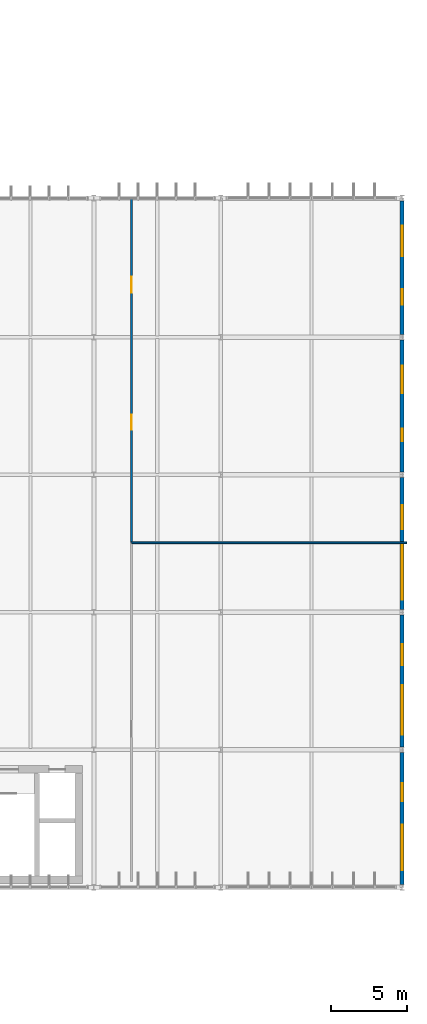
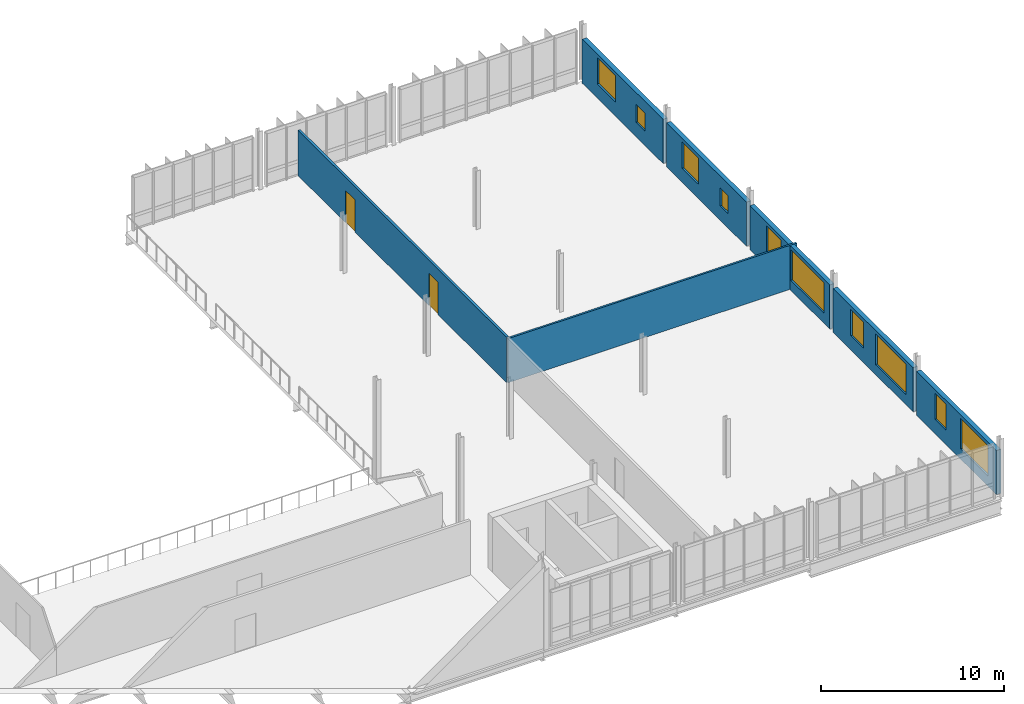
# One storey, part 52 of 61: 10 windows, 7 walls, 2 doors, 12 openings.
"""IFC4 building model written with IfcOpenShell, lengths in metres."""

from ifc_helpers import new_model, si_unit, derived_unit, direction, frame, frame_2d, origin, place, context, subcontext, project, spatial, rectangle, extrude, material, layer, layer_set, type_object, element, fill, save


model = new_model("IFC4")

# Units and contexts
model_context = context("Model", 3, precision=1e-05, world=origin(), true_north=direction((0.0, 1.0)))
body_context = subcontext(model_context, "Body", "Model", "MODEL_VIEW")
ifc_project = project(units=[si_unit("LENGTHUNIT", "METRE"), si_unit("AREAUNIT", "SQUARE_METRE"), si_unit("VOLUMEUNIT", "CUBIC_METRE"), si_unit("PLANEANGLEUNIT", "RADIAN"), si_unit("MASSUNIT", "GRAM", prefix="KILO"), derived_unit("THERMALTRANSMITTANCEUNIT", [(si_unit("MASSUNIT", "GRAM", prefix="KILO"), 1), (si_unit("TIMEUNIT", "SECOND"), -3), (si_unit("THERMODYNAMICTEMPERATUREUNIT", "KELVIN"), -1)])], contexts=[model_context])

# Site, building, storey
site_placement = place(None, origin())
site = spatial("IfcSite", under=ifc_project, at=site_placement, CompositionType="ELEMENT")
building_placement = place(site_placement, origin())
building = spatial("IfcBuilding", under=site, at=building_placement, Name="Makaiwela Harbour Ferry Terminal", CompositionType="ELEMENT")
storey_placement = place(building_placement, frame((0.0, 0.0, 13.800048828125)))
storey = spatial("IfcBuildingStorey", under=building, at=storey_placement, Name="L03", CompositionType="ELEMENT", Elevation=13.800048828125)

# Wall, openings, windows
ifc_material_1 = material(Name="Precast concrete f'c 40 MPa (6000 psi)", Category="concrete")
ifc_layer_1 = layer(ifc_material_1, 0.280029296875)
ifc_layer_set_1 = layer_set([ifc_layer_1], Name="Precast concrete f'c 40 MPa (6000 psi)")
wall_type_1 = type_object("IfcWallType", Name="ENV-WL-EXT280", PredefinedType="SOLIDWALL", material=ifc_layer_set_1)
wall_1_placement = place(storey_placement, frame((167.39990234375, 58.3134765625, 0.0), z_axis=(0.0, 0.0, 1.0), x_axis=(0.0, -1.0, 0.0)))
wall_1 = element("IfcWall", 1, at=wall_1_placement, inside=storey, type_object=wall_type_1, Name="Exterior Wall EW-069", PredefinedType="SOLIDWALL", context=body_context, shape_type="SweptSolid", body=[
    extrude(rectangle(XDim=8.72705078125, YDim=0.280029296875, at=frame_2d((4.363525390625, 0.0))), origin(), (0.0, 0.0, 1.0), 2.94189453125),
])
opening_1_placement = place(wall_1_placement, frame((2.01806640625, 0.0, 0.949951171875)))
opening_1 = element("IfcOpeningElement", 2, at=opening_1_placement, cuts=wall_1, Name="Opening W-19", PredefinedType="OPENING", context=body_context, shape_type="SweptSolid", body=[
    extrude(rectangle(XDim=1.199951171875, YDim=1.75, at=frame_2d((0.60009765625, 0.875))), frame((0.0, 0.14990234375, 0.0), z_axis=(0.0, -1.0, 0.0), x_axis=(1.0, 0.0, 0.0)), (0.0, 0.0, 1.0), 0.300048828125),
])
opening_2_placement = place(wall_1_placement, frame((4.783447265625, 0.0, 0.672119140625)))
opening_2 = element("IfcOpeningElement", 3, at=opening_2_placement, cuts=wall_1, Name="Opening W-36", PredefinedType="OPENING", context=body_context, shape_type="SweptSolid", body=[
    extrude(rectangle(XDim=3.0, YDim=2.050048828125, at=frame_2d((1.5, 1.02490234375))), frame((0.0, 0.14990234375, 0.0), z_axis=(0.0, -1.0, 0.0), x_axis=(1.0, 0.0, 0.0)), (0.0, 0.0, 1.0), 0.300048828125),
])
ifc_material_2 = material(Name="Laminated hurricane-impact low-E insulated glazing", Category="glass")
window_type_1 = type_object("IfcWindowType", Name="ENV-WIN-19", PartitioningType="SINGLE_PANEL", PredefinedType="WINDOW", material=ifc_material_2)
window_1_placement = place(opening_1_placement, origin())
window_1 = element("IfcWindow", 4, at=window_1_placement, inside=storey, type_object=window_type_1, Name="Exterior Window W-19", OverallHeight=1.75, OverallWidth=1.199951171875, PartitioningType="SINGLE_PANEL", PredefinedType="WINDOW", context=body_context, shape_type="SweptSolid", body=[
    extrude(rectangle(XDim=1.199951171875, YDim=1.75, at=frame_2d((0.60009765625, 0.875))), frame((0.0, 0.030029296875, 0.0), z_axis=(0.0, -1.0, 0.0), x_axis=(1.0, 0.0, 0.0)), (0.0, 0.0, 1.0), 0.06005859375),
])
fill(opening_1, window_1)
window_type_2 = type_object("IfcWindowType", Name="ENV-WIN-36", PartitioningType="SINGLE_PANEL", PredefinedType="WINDOW", material=ifc_material_2)
window_2_placement = place(opening_2_placement, origin())
window_2 = element("IfcWindow", 5, at=window_2_placement, inside=storey, type_object=window_type_2, Name="Exterior Window W-36", OverallHeight=2.050048828125, OverallWidth=3.0, PartitioningType="SINGLE_PANEL", PredefinedType="WINDOW", context=body_context, shape_type="SweptSolid", body=[
    extrude(rectangle(XDim=3.0, YDim=2.050048828125, at=frame_2d((1.5, 1.02490234375))), frame((0.0, 0.030029296875, 0.0), z_axis=(0.0, -1.0, 0.0), x_axis=(1.0, 0.0, 0.0)), (0.0, 0.0, 1.0), 0.06005859375),
])
fill(opening_2, window_2)

wall_2_placement = place(storey_placement, frame((167.39990234375, 67.41357421875, 0.0), z_axis=(0.0, 0.0, 1.0), x_axis=(0.0, -1.0, 0.0)))
wall_2 = element("IfcWall", 6, at=wall_2_placement, inside=storey, type_object=wall_type_1, Name="Exterior Wall EW-071", PredefinedType="SOLIDWALL", context=body_context, shape_type="SweptSolid", body=[
    extrude(rectangle(XDim=8.72705078125, YDim=0.280029296875, at=frame_2d((4.363525390625, 0.0))), origin(), (0.0, 0.0, 1.0), 2.94189453125),
])
opening_3_placement = place(wall_2_placement, frame((1.918212890625, 0.0, 0.949951171875)))
opening_3 = element("IfcOpeningElement", 7, at=opening_3_placement, cuts=wall_2, Name="Opening W-20", PredefinedType="OPENING", context=body_context, shape_type="SweptSolid", body=[
    extrude(rectangle(XDim=1.39990234375, YDim=1.75, at=frame_2d((0.699951171875, 0.875))), frame((0.0, 0.14990234375, 0.0), z_axis=(0.0, -1.0, 0.0), x_axis=(1.0, 0.0, 0.0)), (0.0, 0.0, 1.0), 0.300048828125),
])
opening_4_placement = place(wall_2_placement, frame((4.63330078125, 0.0, 0.672119140625)))
opening_4 = element("IfcOpeningElement", 8, at=opening_4_placement, cuts=wall_2, Name="Opening W-37", PredefinedType="OPENING", context=body_context, shape_type="SweptSolid", body=[
    extrude(rectangle(XDim=3.300048828125, YDim=2.050048828125, at=frame_2d((1.64990234375, 1.02490234375))), frame((0.0, 0.14990234375, 0.0), z_axis=(0.0, -1.0, 0.0), x_axis=(1.0, 0.0, 0.0)), (0.0, 0.0, 1.0), 0.300048828125),
])
window_type_3 = type_object("IfcWindowType", Name="ENV-WIN-20", PartitioningType="SINGLE_PANEL", PredefinedType="WINDOW", material=ifc_material_2)
window_3_placement = place(opening_3_placement, origin())
window_3 = element("IfcWindow", 9, at=window_3_placement, inside=storey, type_object=window_type_3, Name="Exterior Window W-20", OverallHeight=1.75, OverallWidth=1.39990234375, PartitioningType="SINGLE_PANEL", PredefinedType="WINDOW", context=body_context, shape_type="SweptSolid", body=[
    extrude(rectangle(XDim=1.39990234375, YDim=1.75, at=frame_2d((0.699951171875, 0.875))), frame((0.0, 0.030029296875, 0.0), z_axis=(0.0, -1.0, 0.0), x_axis=(1.0, 0.0, 0.0)), (0.0, 0.0, 1.0), 0.06005859375),
])
fill(opening_3, window_3)
window_type_4 = type_object("IfcWindowType", Name="ENV-WIN-37", PartitioningType="SINGLE_PANEL", PredefinedType="WINDOW", material=ifc_material_2)
window_4_placement = place(opening_4_placement, origin())
window_4 = element("IfcWindow", 10, at=window_4_placement, inside=storey, type_object=window_type_4, Name="Exterior Window W-37", OverallHeight=2.050048828125, OverallWidth=3.300048828125, PartitioningType="SINGLE_PANEL", PredefinedType="WINDOW", context=body_context, shape_type="SweptSolid", body=[
    extrude(rectangle(XDim=3.300048828125, YDim=2.050048828125, at=frame_2d((1.64990234375, 1.02490234375))), frame((0.0, 0.030029296875, 0.0), z_axis=(0.0, -1.0, 0.0), x_axis=(1.0, 0.0, 0.0)), (0.0, 0.0, 1.0), 0.06005859375),
])
fill(opening_4, window_4)

wall_3_placement = place(storey_placement, frame((167.39990234375, 76.513427734375, 0.0), z_axis=(0.0, 0.0, 1.0), x_axis=(0.0, -1.0, 0.0)))
wall_3 = element("IfcWall", 11, at=wall_3_placement, inside=storey, type_object=wall_type_1, Name="Exterior Wall EW-073", PredefinedType="SOLIDWALL", context=body_context, shape_type="SweptSolid", body=[
    extrude(rectangle(XDim=8.726806640625, YDim=0.280029296875, at=frame_2d((4.36328125, 0.0))), origin(), (0.0, 0.0, 1.0), 2.94189453125),
])
opening_5_placement = place(wall_3_placement, frame((1.818115234375, 0.0, 0.949951171875)))
opening_5 = element("IfcOpeningElement", 12, at=opening_5_placement, cuts=wall_3, Name="Opening W-21", PredefinedType="OPENING", context=body_context, shape_type="SweptSolid", body=[
    extrude(rectangle(XDim=1.60009765625, YDim=1.75, at=frame_2d((0.800048828125, 0.875))), frame((0.0, 0.14990234375, 0.0), z_axis=(0.0, -1.0, 0.0), x_axis=(1.0, 0.0, 0.0)), (0.0, 0.0, 1.0), 0.300048828125),
])
opening_6_placement = place(wall_3_placement, frame((4.4833984375, 0.0, 0.672119140625)))
opening_6 = element("IfcOpeningElement", 13, at=opening_6_placement, cuts=wall_3, Name="Opening W-38", PredefinedType="OPENING", context=body_context, shape_type="SweptSolid", body=[
    extrude(rectangle(XDim=3.60009765625, YDim=2.050048828125, at=frame_2d((1.800048828125, 1.02490234375))), frame((0.0, 0.14990234375, 0.0), z_axis=(0.0, -1.0, 0.0), x_axis=(1.0, 0.0, 0.0)), (0.0, 0.0, 1.0), 0.300048828125),
])
window_type_5 = type_object("IfcWindowType", Name="ENV-WIN-21", PartitioningType="SINGLE_PANEL", PredefinedType="WINDOW", material=ifc_material_2)
window_5_placement = place(opening_5_placement, origin())
window_5 = element("IfcWindow", 14, at=window_5_placement, inside=storey, type_object=window_type_5, Name="Exterior Window W-21", OverallHeight=1.75, OverallWidth=1.60009765625, PartitioningType="SINGLE_PANEL", PredefinedType="WINDOW", context=body_context, shape_type="SweptSolid", body=[
    extrude(rectangle(XDim=1.60009765625, YDim=1.75, at=frame_2d((0.800048828125, 0.875))), frame((0.0, 0.030029296875, 0.0), z_axis=(0.0, -1.0, 0.0), x_axis=(1.0, 0.0, 0.0)), (0.0, 0.0, 1.0), 0.06005859375),
])
fill(opening_5, window_5)
window_type_6 = type_object("IfcWindowType", Name="ENV-WIN-38", PartitioningType="SINGLE_PANEL", PredefinedType="WINDOW", material=ifc_material_2)
window_6_placement = place(opening_6_placement, origin())
window_6 = element("IfcWindow", 15, at=window_6_placement, inside=storey, type_object=window_type_6, Name="Exterior Window W-38", OverallHeight=2.050048828125, OverallWidth=3.60009765625, PartitioningType="SINGLE_PANEL", PredefinedType="WINDOW", context=body_context, shape_type="SweptSolid", body=[
    extrude(rectangle(XDim=3.60009765625, YDim=2.050048828125, at=frame_2d((1.800048828125, 1.02490234375))), frame((0.0, 0.030029296875, 0.0), z_axis=(0.0, -1.0, 0.0), x_axis=(1.0, 0.0, 0.0)), (0.0, 0.0, 1.0), 0.06005859375),
])
fill(opening_6, window_6)

wall_4_placement = place(storey_placement, frame((167.39990234375, 85.613525390625, 0.0), z_axis=(0.0, 0.0, 1.0), x_axis=(0.0, -1.0, 0.0)))
wall_4 = element("IfcWall", 16, at=wall_4_placement, inside=storey, type_object=wall_type_1, Name="Exterior Wall EW-075", PredefinedType="SOLIDWALL", context=body_context, shape_type="SweptSolid", body=[
    extrude(rectangle(XDim=8.72705078125, YDim=0.280029296875, at=frame_2d((4.363525390625, 0.0))), origin(), (0.0, 0.0, 1.0), 2.94189453125),
])
opening_7_placement = place(wall_4_placement, frame((1.718017578125, 0.0, 0.949951171875)))
opening_7 = element("IfcOpeningElement", 17, at=opening_7_placement, cuts=wall_4, Name="Opening W-22", PredefinedType="OPENING", context=body_context, shape_type="SweptSolid", body=[
    extrude(rectangle(XDim=1.800048828125, YDim=1.75, at=frame_2d((0.89990234375, 0.875))), frame((0.0, 0.14990234375, 0.0), z_axis=(0.0, -1.0, 0.0), x_axis=(1.0, 0.0, 0.0)), (0.0, 0.0, 1.0), 0.300048828125),
])
opening_8_placement = place(wall_4_placement, frame((5.8583984375, 0.0, 0.949951171875)))
opening_8 = element("IfcOpeningElement", 18, at=opening_8_placement, cuts=wall_4, Name="Opening W-01", PredefinedType="OPENING", context=body_context, shape_type="SweptSolid", body=[
    extrude(rectangle(XDim=0.85009765625, YDim=1.199951171875, at=frame_2d((0.425048828125, 0.60009765625))), frame((0.0, 0.14990234375, 0.0), z_axis=(0.0, -1.0, 0.0), x_axis=(1.0, 0.0, 0.0)), (0.0, 0.0, 1.0), 0.300048828125),
])
window_type_7 = type_object("IfcWindowType", Name="ENV-WIN-01", PartitioningType="SINGLE_PANEL", PredefinedType="WINDOW", material=ifc_material_2)
window_7_placement = place(opening_8_placement, origin())
window_7 = element("IfcWindow", 19, at=window_7_placement, inside=storey, type_object=window_type_7, Name="Exterior Window W-01", OverallHeight=1.199951171875, OverallWidth=0.85009765625, PartitioningType="SINGLE_PANEL", PredefinedType="WINDOW", context=body_context, shape_type="SweptSolid", body=[
    extrude(rectangle(XDim=0.85009765625, YDim=1.199951171875, at=frame_2d((0.425048828125, 0.60009765625))), frame((0.0, 0.030029296875, 0.0), z_axis=(0.0, -1.0, 0.0), x_axis=(1.0, 0.0, 0.0)), (0.0, 0.0, 1.0), 0.06005859375),
])
fill(opening_8, window_7)
window_type_8 = type_object("IfcWindowType", Name="ENV-WIN-22", PartitioningType="SINGLE_PANEL", PredefinedType="WINDOW", material=ifc_material_2)
window_8_placement = place(opening_7_placement, origin())
window_8 = element("IfcWindow", 20, at=window_8_placement, inside=storey, type_object=window_type_8, Name="Exterior Window W-22", OverallHeight=1.75, OverallWidth=1.800048828125, PartitioningType="SINGLE_PANEL", PredefinedType="WINDOW", context=body_context, shape_type="SweptSolid", body=[
    extrude(rectangle(XDim=1.800048828125, YDim=1.75, at=frame_2d((0.89990234375, 0.875))), frame((0.0, 0.030029296875, 0.0), z_axis=(0.0, -1.0, 0.0), x_axis=(1.0, 0.0, 0.0)), (0.0, 0.0, 1.0), 0.06005859375),
])
fill(opening_7, window_8)

wall_5_placement = place(storey_placement, frame((167.39990234375, 94.8134765625, 0.0), z_axis=(0.0, 0.0, 1.0), x_axis=(0.0, -1.0, 0.0)))
wall_5 = element("IfcWall", 21, at=wall_5_placement, inside=storey, type_object=wall_type_1, Name="Exterior Wall EW-077", PredefinedType="SOLIDWALL", context=body_context, shape_type="SweptSolid", body=[
    extrude(rectangle(XDim=8.826904296875, YDim=0.280029296875, at=frame_2d((4.41357421875, 0.0))), origin(), (0.0, 0.0, 1.0), 2.94189453125),
])
opening_9_placement = place(wall_5_placement, frame((1.648193359375, 0.0, 0.949951171875)))
opening_9 = element("IfcOpeningElement", 22, at=opening_9_placement, cuts=wall_5, Name="Opening W-23", PredefinedType="OPENING", context=body_context, shape_type="SweptSolid", body=[
    extrude(rectangle(XDim=2.0, YDim=1.75, at=frame_2d((1.0, 0.875))), frame((0.0, 0.14990234375, 0.0), z_axis=(0.0, -1.0, 0.0), x_axis=(1.0, 0.0, 0.0)), (0.0, 0.0, 1.0), 0.300048828125),
])
opening_10_placement = place(wall_5_placement, frame((5.85546875, 0.0, 0.949951171875)))
opening_10 = element("IfcOpeningElement", 23, at=opening_10_placement, cuts=wall_5, Name="Opening W-02", PredefinedType="OPENING", context=body_context, shape_type="SweptSolid", body=[
    extrude(rectangle(XDim=1.0, YDim=1.199951171875, at=frame_2d((0.5, 0.60009765625))), frame((0.0, 0.14990234375, 0.0), z_axis=(0.0, -1.0, 0.0), x_axis=(1.0, 0.0, 0.0)), (0.0, 0.0, 1.0), 0.300048828125),
])
window_type_9 = type_object("IfcWindowType", Name="ENV-WIN-02", PartitioningType="SINGLE_PANEL", PredefinedType="WINDOW", material=ifc_material_2)
window_9_placement = place(opening_10_placement, origin())
window_9 = element("IfcWindow", 24, at=window_9_placement, inside=storey, type_object=window_type_9, Name="Exterior Window W-02", OverallHeight=1.199951171875, OverallWidth=1.0, PartitioningType="SINGLE_PANEL", PredefinedType="WINDOW", context=body_context, shape_type="SweptSolid", body=[
    extrude(rectangle(XDim=1.0, YDim=1.199951171875, at=frame_2d((0.5, 0.60009765625))), frame((0.0, 0.030029296875, 0.0), z_axis=(0.0, -1.0, 0.0), x_axis=(1.0, 0.0, 0.0)), (0.0, 0.0, 1.0), 0.06005859375),
])
fill(opening_10, window_9)
window_type_10 = type_object("IfcWindowType", Name="ENV-WIN-23", PartitioningType="SINGLE_PANEL", PredefinedType="WINDOW", material=ifc_material_2)
window_10_placement = place(opening_9_placement, origin())
window_10 = element("IfcWindow", 25, at=window_10_placement, inside=storey, type_object=window_type_10, Name="Exterior Window W-23", OverallHeight=1.75, OverallWidth=2.0, PartitioningType="SINGLE_PANEL", PredefinedType="WINDOW", context=body_context, shape_type="SweptSolid", body=[
    extrude(rectangle(XDim=2.0, YDim=1.75, at=frame_2d((1.0, 0.875))), frame((0.0, 0.030029296875, 0.0), z_axis=(0.0, -1.0, 0.0), x_axis=(1.0, 0.0, 0.0)), (0.0, 0.0, 1.0), 0.06005859375),
])
fill(opening_9, window_10)

# Wall
ifc_material_3 = material(Name="Moisture-resistant acoustic gypsum partition", Category="gypsum")
ifc_layer_2 = layer(ifc_material_3, 0.1201171875)
ifc_layer_set_2 = layer_set([ifc_layer_2], Name="Moisture-resistant acoustic gypsum partition")
wall_type_2 = type_object("IfcWallType", Name="INT-WL-PRT120", PredefinedType="PARTITIONING", material=ifc_layer_set_2)
wall_6_placement = place(storey_placement, frame((149.5, 72.199951171875, 0.0), z_axis=(0.0, 0.0, 1.0), x_axis=(1.0, 0.0, 0.0)))
element("IfcWall", 26, at=wall_6_placement, inside=storey, type_object=wall_type_2, Name="Interior Wall IW-0567", PredefinedType="PARTITIONING", context=body_context, shape_type="SweptSolid", body=[
    extrude(rectangle(XDim=18.199951171875, YDim=0.1201171875, at=frame_2d((9.10009765625, 0.0))), origin(), (0.0, 0.0, 1.0), 2.94189453125),
])

# Wall, openings, doors
ifc_layer_3 = layer(ifc_material_3, 0.14990234375)
ifc_layer_set_3 = layer_set([ifc_layer_3], Name="Moisture-resistant acoustic gypsum partition")
wall_type_3 = type_object("IfcWallType", Name="INT-WL-PRT150", PredefinedType="PARTITIONING", material=ifc_layer_set_3)
wall_7_placement = place(storey_placement, frame((149.5, 72.199951171875, 0.0), z_axis=(0.0, 0.0, 1.0), x_axis=(0.0, 1.0, 0.0)))
wall_7 = element("IfcWall", 27, at=wall_7_placement, inside=storey, type_object=wall_type_3, Name="Interior Wall IW-0566", PredefinedType="PARTITIONING", context=body_context, shape_type="SweptSolid", body=[
    extrude(rectangle(XDim=22.760009765625, YDim=0.14990234375, at=frame_2d((11.3798828125, 0.0))), origin(), (0.0, 0.0, 1.0), 3.02294921875),
])
opening_11_placement = place(wall_7_placement, frame((7.466064453125, 0.0, 0.0)))
opening_11 = element("IfcOpeningElement", 28, at=opening_11_placement, cuts=wall_7, Name="Opening D-09", PredefinedType="OPENING", context=body_context, shape_type="SweptSolid", body=[
    extrude(rectangle(XDim=1.0, YDim=2.14990234375, at=frame_2d((0.5, 1.074951171875))), frame((0.0, 0.0849609375, 0.0), z_axis=(0.0, -1.0, 0.0), x_axis=(1.0, 0.0, 0.0)), (0.0, 0.0, 1.0), 0.169921875),
])
opening_12_placement = place(wall_7_placement, frame((16.544921875, 0.0, 0.0)))
opening_12 = element("IfcOpeningElement", 29, at=opening_12_placement, cuts=wall_7, Name="Opening D-10", PredefinedType="OPENING", context=body_context, shape_type="SweptSolid", body=[
    extrude(rectangle(XDim=1.050048828125, YDim=2.14990234375, at=frame_2d((0.52490234375, 1.074951171875))), frame((0.0, 0.0849609375, 0.0), z_axis=(0.0, -1.0, 0.0), x_axis=(1.0, 0.0, 0.0)), (0.0, 0.0, 1.0), 0.169921875),
])
ifc_material_4 = material(Name="Solid-core marine hardwood and painted steel frame", Category="steel")
door_type_1 = type_object("IfcDoorType", Name="INT-DR-RM100", OperationType="NOTDEFINED", PredefinedType="DOOR", material=ifc_material_4)
door_1_placement = place(opening_11_placement, frame((1.0, 0.0, 0.0), z_axis=(0.0, 0.0, 1.0), x_axis=(-1.0, 0.0, 0.0)))
door_1 = element("IfcDoor", 30, at=door_1_placement, inside=storey, type_object=door_type_1, Name="Door D-09", OperationType="SINGLE_SWING_RIGHT", OverallHeight=2.14990234375, OverallWidth=1.0, PredefinedType="DOOR", context=body_context, shape_type="SweptSolid", body=[
    extrude(rectangle(XDim=1.0, YDim=2.14990234375, at=frame_2d((0.5, 1.074951171875))), frame((0.0, 0.02490234375, 0.0), z_axis=(0.0, -1.0, 0.0), x_axis=(1.0, 0.0, 0.0)), (0.0, 0.0, 1.0), 0.050048828125),
])
fill(opening_11, door_1)
door_type_2 = type_object("IfcDoorType", Name="INT-DR-RM105", OperationType="NOTDEFINED", PredefinedType="DOOR", material=ifc_material_4)
door_2_placement = place(opening_12_placement, frame((1.050048828125, 0.0, 0.0), z_axis=(0.0, 0.0, 1.0), x_axis=(-1.0, 0.0, 0.0)))
door_2 = element("IfcDoor", 31, at=door_2_placement, inside=storey, type_object=door_type_2, Name="Door D-10", OperationType="SINGLE_SWING_LEFT", OverallHeight=2.14990234375, OverallWidth=1.050048828125, PredefinedType="DOOR", context=body_context, shape_type="SweptSolid", body=[
    extrude(rectangle(XDim=1.050048828125, YDim=2.14990234375, at=frame_2d((0.52490234375, 1.074951171875))), frame((0.0, 0.02490234375, 0.0), z_axis=(0.0, -1.0, 0.0), x_axis=(1.0, 0.0, 0.0)), (0.0, 0.0, 1.0), 0.050048828125),
])
fill(opening_12, door_2)

save(model, "model.ifc")
